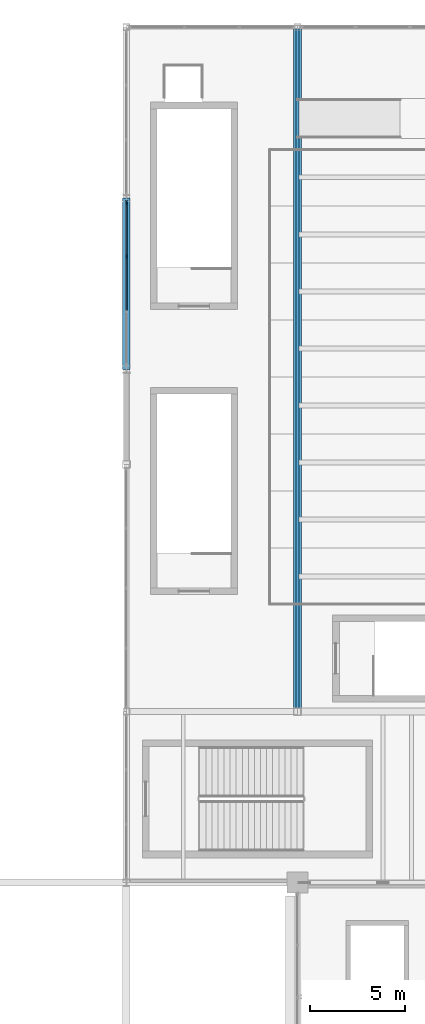
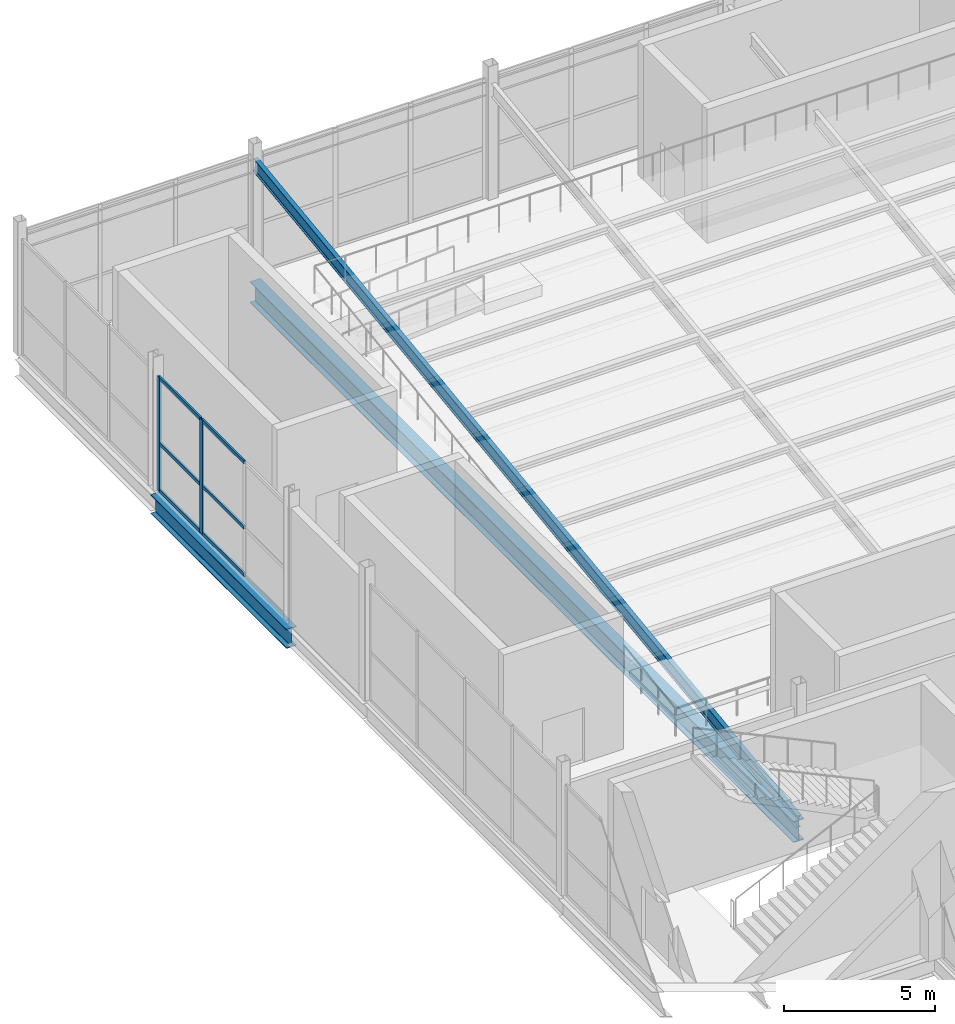
# One storey, part 59 of 119: 8 members, 3 beams, 1 element without a shape of its own.
"""IFC4 building model written with IfcOpenShell, lengths in metres."""

from ifc_helpers import new_model, si_unit, direction, frame, origin, origin_2d, place, context, subcontext, project, spatial, rectangle, i_section, extrude, material, layer, layer_set, material_profile, profile_set, type_object, element, aggregate, save


model = new_model("IFC4")

# Units and contexts
model_context = context("Model", 3, precision=1e-05, world=origin(), true_north=direction((0.0, 1.0)))
body_context = subcontext(model_context, "Body", "Model", "MODEL_VIEW")
ifc_project = project(units=[si_unit("LENGTHUNIT", "METRE"), si_unit("AREAUNIT", "SQUARE_METRE"), si_unit("VOLUMEUNIT", "CUBIC_METRE"), si_unit("PLANEANGLEUNIT", "RADIAN"), si_unit("MASSUNIT", "GRAM", prefix="KILO")], contexts=[model_context])

# Site, building, storey
site_placement = place(None, origin())
site = spatial("IfcSite", under=ifc_project, at=site_placement, CompositionType="ELEMENT")
building_placement = place(site_placement, origin())
building = spatial("IfcBuilding", under=site, at=building_placement, Name="Qamarlyn Nura Convention Centre", CompositionType="ELEMENT")
storey_placement = place(building_placement, frame((0.0, 0.0, 5.39990234375)))
storey = spatial("IfcBuildingStorey", under=building, at=storey_placement, Name="L01", CompositionType="ELEMENT", Elevation=5.39990234375)

# Beams
ifc_material_1 = material(Name="Steel ASTM A992", Category="steel")
ifc_material_profile_1 = material_profile(ifc_material_1, i_section(OverallWidth=0.381103515625, OverallDepth=0.77294921875, WebThickness=0.0166015625, FlangeThickness=0.027587890625, FilletRadius=0.02001953125, at=origin_2d()), Name="W760X257")
ifc_profile_set_1 = profile_set([ifc_material_profile_1], Name="Steel ASTM A992")
beam_type_1 = type_object("IfcBeamType", Name="BM-GIRD-760", PredefinedType="BEAM", material=ifc_profile_set_1)
beam_1_placement = place(storey_placement, frame((144.0, 108.0, -0.62646484375), z_axis=(0.0, 1.0, 0.0), x_axis=(-1.0, 0.0, 0.0)))
element("IfcBeam", 1, at=beam_1_placement, inside=storey, type_object=beam_type_1, Name="L01 girder 12 N-P", PredefinedType="BEAM", context=body_context, shape_type="SweptSolid", body=[
    extrude(i_section(OverallWidth=0.381103515625, OverallDepth=0.77294921875, WebThickness=0.0166015625, FlangeThickness=0.027587890625, FilletRadius=0.02001953125, at=origin_2d()), origin(), (0.0, 0.0, 1.0), 9.0),
])
ifc_material_profile_2 = material_profile(ifc_material_1, i_section(OverallWidth=0.39990234375, OverallDepth=0.85498046875, WebThickness=0.018310546875, FlangeThickness=0.029296875, FilletRadius=0.02197265625, at=origin_2d()), Name="W840X299")
ifc_profile_set_2 = profile_set([ifc_material_profile_2], Name="Steel ASTM A992")
beam_type_2 = type_object("IfcBeamType", Name="BM-GIRD-840", PredefinedType="BEAM", material=ifc_profile_set_2)
beam_2_placement = place(storey_placement, frame((153.0, 90.0, -0.66748046875), z_axis=(0.0, 1.0, 0.0), x_axis=(-1.0, 0.0, 0.0)))
element("IfcBeam", 2, at=beam_2_placement, inside=storey, type_object=beam_type_2, Name="L01 girder 13 L-Q", PredefinedType="BEAM", context=body_context, shape_type="SweptSolid", body=[
    extrude(i_section(OverallWidth=0.39990234375, OverallDepth=0.85498046875, WebThickness=0.018310546875, FlangeThickness=0.029296875, FilletRadius=0.02197265625, at=origin_2d()), origin(), (0.0, 0.0, 1.0), 36.0),
])
ifc_material_profile_3 = material_profile(ifc_material_1, i_section(OverallWidth=0.166015625, OverallDepth=0.534912109375, WebThickness=0.01025390625, FlangeThickness=0.0166015625, FilletRadius=0.013916015625, at=origin_2d()), Name="W530X85")
ifc_profile_set_3 = profile_set([ifc_material_profile_3], Name="Steel ASTM A992")
beam_type_3 = type_object("IfcBeamType", Name="BM-RAKER-01", PredefinedType="BEAM", material=ifc_profile_set_3)
beam_3_placement = place(storey_placement, frame((153.0, 90.0, -0.2998046875), z_axis=(0.0, 0.991407364485, 0.130810693925), x_axis=(-1.0, 0.0, 0.0)))
element("IfcBeam", 3, at=beam_3_placement, inside=storey, type_object=beam_type_3, Name="RAKER Plenary stand beam X153", PredefinedType="BEAM", context=body_context, shape_type="SweptSolid", body=[
    extrude(i_section(OverallWidth=0.166015625, OverallDepth=0.534912109375, WebThickness=0.01025390625, FlangeThickness=0.0166015625, FilletRadius=0.013916015625, at=origin_2d()), origin(), (0.0, 0.0, 1.0), 36.31201171875),
])

# Curtain wall, members
ifc_material_2 = material(Name="Double-silver low-E insulated glass", Category="glass")
ifc_layer = layer(ifc_material_2, 0.179931640625, Name="CW-UNIT-85")
ifc_layer_set = layer_set([ifc_layer], Name="Double-silver low-E insulated glass")
curtain_wall_type = type_object("IfcCurtainWallType", Name="CW-UNIT-85", PredefinedType="NOTDEFINED", material=ifc_layer_set)
curtain_wall_placement = place(storey_placement, origin())
curtain_wall = element("IfcCurtainWall", 4, at=curtain_wall_placement, inside=storey, type_object=curtain_wall_type, Name="L01 unitised curtain wall PLW-108-1", PredefinedType="NOTDEFINED")
ifc_material_3 = material(Name="Champagne-anodised marine aluminium", Category="aluminium")
ifc_material_profile_4 = material_profile(ifc_material_3, rectangle(XDim=0.070068359375, YDim=0.179931640625, at=origin_2d()), Name="ALU MULLION 70x180")
ifc_profile_set_4 = profile_set([ifc_material_profile_4], Name="Champagne-anodised marine aluminium")
member_type_1 = type_object("IfcMemberType", Name="CWM-180", PredefinedType="MULLION", material=ifc_profile_set_4)
member_1_placement = place(storey_placement, frame((144.0, 113.94140625, 0.0), z_axis=(0.0, 0.0, 1.0), x_axis=(-1.0, 0.0, 0.0)))
member_1 = element("IfcMember", 5, at=member_1_placement, type_object=member_type_1, Name="CW85 mullion 3", PredefinedType="MULLION", context=body_context, shape_type="SweptSolid", body=[
    extrude(rectangle(XDim=0.070068359375, YDim=0.179931640625, at=origin_2d()), origin(), (0.0, 0.0, 1.0), 4.612060546875),
])
member_2_placement = place(storey_placement, frame((144.0, 116.779052734375, 0.0), z_axis=(0.0, 0.0, 1.0), x_axis=(-1.0, 0.0, 0.0)))
member_2 = element("IfcMember", 6, at=member_2_placement, type_object=member_type_1, Name="CW85 mullion 4", PredefinedType="MULLION", context=body_context, shape_type="SweptSolid", body=[
    extrude(rectangle(XDim=0.070068359375, YDim=0.179931640625, at=origin_2d()), origin(), (0.0, 0.0, 1.0), 4.612060546875),
])
ifc_material_profile_5 = material_profile(ifc_material_3, rectangle(XDim=0.070068359375, YDim=0.139892578125, at=origin_2d()), Name="ALU TRANSOM 70x140")
ifc_profile_set_5 = profile_set([ifc_material_profile_5], Name="Champagne-anodised marine aluminium")
member_type_2 = type_object("IfcMemberType", Name="CWT-140", PredefinedType="USERDEFINED", material=ifc_profile_set_5)
member_3_placement = place(storey_placement, frame((144.0, 111.10400390625, 0.03515625), z_axis=(0.0, 1.0, 0.0), x_axis=(-1.0, 0.0, 0.0)))
member_3 = element("IfcMember", 7, at=member_3_placement, type_object=member_type_2, Name="CW85 transom 2.1", ObjectType="TRANSOM", PredefinedType="USERDEFINED", context=body_context, shape_type="SweptSolid", body=[
    extrude(rectangle(XDim=0.070068359375, YDim=0.139892578125, at=origin_2d()), origin(), (0.0, 0.0, 1.0), 2.802490234375),
])
member_4_placement = place(storey_placement, frame((144.0, 111.10400390625, 1.93701171875), z_axis=(0.0, 1.0, 0.0), x_axis=(-1.0, 0.0, 0.0)))
member_4 = element("IfcMember", 8, at=member_4_placement, type_object=member_type_2, Name="CW85 transom 2.2", ObjectType="TRANSOM", PredefinedType="USERDEFINED", context=body_context, shape_type="SweptSolid", body=[
    extrude(rectangle(XDim=0.070068359375, YDim=0.139892578125, at=origin_2d()), origin(), (0.0, 0.0, 1.0), 2.802490234375),
])
member_5_placement = place(storey_placement, frame((144.0, 111.10400390625, 4.5771484375), z_axis=(0.0, 1.0, 0.0), x_axis=(-1.0, 0.0, 0.0)))
member_5 = element("IfcMember", 9, at=member_5_placement, type_object=member_type_2, Name="CW85 transom 2.3", ObjectType="TRANSOM", PredefinedType="USERDEFINED", context=body_context, shape_type="SweptSolid", body=[
    extrude(rectangle(XDim=0.070068359375, YDim=0.139892578125, at=origin_2d()), origin(), (0.0, 0.0, 1.0), 2.802490234375),
])
member_6_placement = place(storey_placement, frame((144.0, 113.9765625, 0.03515625), z_axis=(0.0, 1.0, 0.0), x_axis=(-1.0, 0.0, 0.0)))
member_6 = element("IfcMember", 10, at=member_6_placement, type_object=member_type_2, Name="CW85 transom 3.1", ObjectType="TRANSOM", PredefinedType="USERDEFINED", context=body_context, shape_type="SweptSolid", body=[
    extrude(rectangle(XDim=0.070068359375, YDim=0.139892578125, at=origin_2d()), origin(), (0.0, 0.0, 1.0), 2.767333984375),
])
member_7_placement = place(storey_placement, frame((144.0, 113.9765625, 1.93701171875), z_axis=(0.0, 1.0, 0.0), x_axis=(-1.0, 0.0, 0.0)))
member_7 = element("IfcMember", 11, at=member_7_placement, type_object=member_type_2, Name="CW85 transom 3.2", ObjectType="TRANSOM", PredefinedType="USERDEFINED", context=body_context, shape_type="SweptSolid", body=[
    extrude(rectangle(XDim=0.070068359375, YDim=0.139892578125, at=origin_2d()), origin(), (0.0, 0.0, 1.0), 2.767333984375),
])
member_8_placement = place(storey_placement, frame((144.0, 113.9765625, 4.5771484375), z_axis=(0.0, 1.0, 0.0), x_axis=(-1.0, 0.0, 0.0)))
member_8 = element("IfcMember", 12, at=member_8_placement, type_object=member_type_2, Name="CW85 transom 3.3", ObjectType="TRANSOM", PredefinedType="USERDEFINED", context=body_context, shape_type="SweptSolid", body=[
    extrude(rectangle(XDim=0.070068359375, YDim=0.139892578125, at=origin_2d()), origin(), (0.0, 0.0, 1.0), 2.767333984375),
])
aggregate(curtain_wall, [member_1, member_2, member_3, member_4, member_5, member_6, member_7, member_8])

save(model, "model.ifc")
